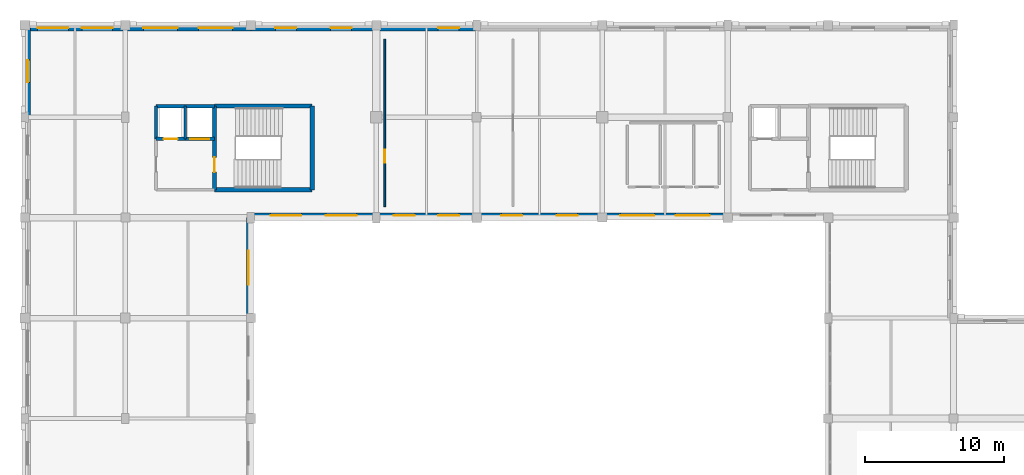
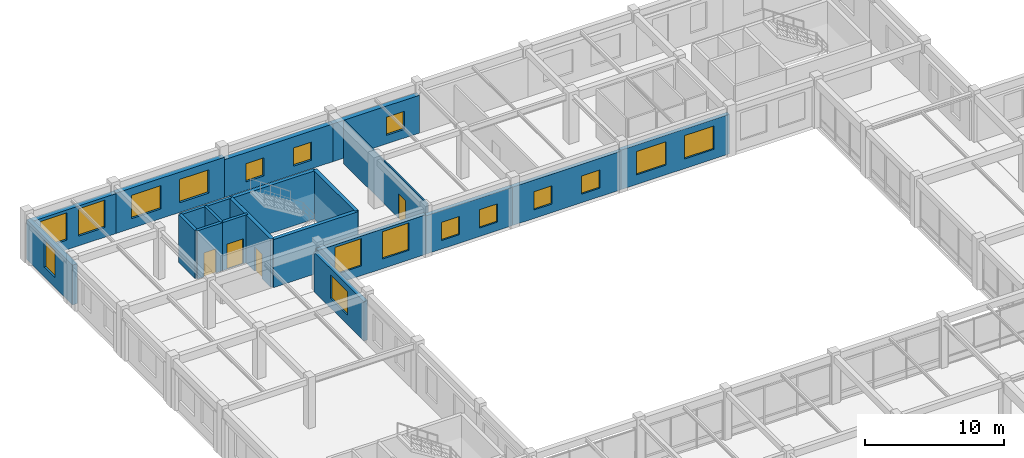
# One storey, part 42 of 62: 20 walls, 17 windows, 4 doors, 21 openings.
"""IFC4 building model written with IfcOpenShell, lengths in metres."""

from ifc_helpers import new_model, si_unit, direction, frame, frame_2d, origin, place, context, subcontext, project, spatial, rectangle, extrude, material, layer, layer_set, type_object, element, fill, save


model = new_model("IFC4")

# Units and contexts
model_context = context("Model", 3, precision=1e-05, world=origin(), true_north=direction((0.0, 1.0)))
body_context = subcontext(model_context, "Body", "Model", "MODEL_VIEW")
ifc_project = project(units=[si_unit("LENGTHUNIT", "METRE"), si_unit("AREAUNIT", "SQUARE_METRE"), si_unit("VOLUMEUNIT", "CUBIC_METRE"), si_unit("PLANEANGLEUNIT", "RADIAN"), si_unit("MASSUNIT", "GRAM", prefix="KILO")], contexts=[model_context])

# Site, building, storey
site_placement = place(None, origin())
site = spatial("IfcSite", under=ifc_project, at=site_placement, CompositionType="ELEMENT")
building_placement = place(site_placement, origin())
building = spatial("IfcBuilding", under=site, at=building_placement, Name="Clarverna Civic Hall", CompositionType="ELEMENT")
storey_placement = place(building_placement, frame((0.0, 0.0, 5.10009765625)))
storey = spatial("IfcBuildingStorey", under=building, at=storey_placement, Name="L01", CompositionType="ELEMENT", Elevation=5.10009765625)

# Wall, opening, window
ifc_material_1 = material(Name="Montjuic Limestone Ashlar Cladding", Category="masonry")
ifc_layer_1 = layer(ifc_material_1, 0.39990234375)
ifc_layer_set_1 = layer_set([ifc_layer_1], Name="Montjuic Limestone Ashlar Cladding")
wall_type_1 = type_object("IfcWallType", Name="EW-02", PredefinedType="SOLIDWALL", material=ifc_layer_set_1)
wall_1_placement = place(storey_placement, frame((0.199951171875, 109.39990234375, 0.0), z_axis=(0.0, 0.0, 1.0), x_axis=(0.0, 1.0, 0.0)))
wall_1 = element("IfcWall", 1, at=wall_1_placement, inside=storey, type_object=wall_type_1, Name="EW-02-015", PredefinedType="SOLIDWALL", context=body_context, shape_type="SweptSolid", body=[
    extrude(rectangle(XDim=6.60009765625, YDim=0.39990234375, at=frame_2d((3.300048828125, 0.0))), origin(), (0.0, 0.0, 1.0), 3.5),
])
opening_1_placement = place(wall_1_placement, frame((2.5, 0.0, 0.85009765625)))
opening_1 = element("IfcOpeningElement", 2, at=opening_1_placement, cuts=wall_1, Name="Opening WN-03", PredefinedType="OPENING", context=body_context, shape_type="SweptSolid", body=[
    extrude(rectangle(XDim=1.60009765625, YDim=2.39990234375, at=frame_2d((0.800048828125, 1.199951171875))), frame((0.0, 0.2099609375, 0.0), z_axis=(0.0, -1.0, 0.0), x_axis=(1.0, 0.0, 0.0)), (0.0, 0.0, 1.0), 0.419921875),
])
ifc_material_2 = material(Name="Solar-Control Argon Low-E Double Glazing", Category="glass")
window_type_1 = type_object("IfcWindowType", Name="WN-03", PartitioningType="DOUBLE_PANEL_VERTICAL", PredefinedType="WINDOW", material=ifc_material_2)
window_1_placement = place(opening_1_placement, origin())
window_1 = element("IfcWindow", 3, at=window_1_placement, inside=storey, type_object=window_type_1, Name="WN-03-005", OverallHeight=2.39990234375, OverallWidth=1.60009765625, PartitioningType="DOUBLE_PANEL_VERTICAL", PredefinedType="WINDOW", context=body_context, shape_type="SweptSolid", body=[
    extrude(rectangle(XDim=1.60009765625, YDim=2.39990234375, at=frame_2d((0.800048828125, 1.199951171875))), frame((0.0, 0.030029296875, 0.0), z_axis=(0.0, -1.0, 0.0), x_axis=(1.0, 0.0, 0.0)), (0.0, 0.0, 1.0), 0.06005859375),
])
fill(opening_1, window_1)

# Wall, openings, windows
wall_2_placement = place(storey_placement, frame((0.0, 115.800048828125, 0.0), z_axis=(0.0, 0.0, 1.0), x_axis=(1.0, 0.0, 0.0)))
wall_2 = element("IfcWall", 4, at=wall_2_placement, inside=storey, type_object=wall_type_1, Name="EW-02-016", PredefinedType="SOLIDWALL", context=body_context, shape_type="SweptSolid", body=[
    extrude(rectangle(XDim=7.199951171875, YDim=0.39990234375, at=frame_2d((3.60009765625, 0.0))), origin(), (0.0, 0.0, 1.0), 3.5),
])
opening_2_placement = place(wall_2_placement, frame((0.916015625, 0.0, 0.85009765625)))
opening_2 = element("IfcOpeningElement", 5, at=opening_2_placement, cuts=wall_2, Name="Opening WN-04", PredefinedType="OPENING", context=body_context, shape_type="SweptSolid", body=[
    extrude(rectangle(XDim=2.199951171875, YDim=2.39990234375, at=frame_2d((1.10009765625, 1.199951171875))), frame((0.0, 0.2099609375, 0.0), z_axis=(0.0, -1.0, 0.0), x_axis=(1.0, 0.0, 0.0)), (0.0, 0.0, 1.0), 0.419921875),
])
opening_3_placement = place(wall_2_placement, frame((4.083984375, 0.0, 0.85009765625)))
opening_3 = element("IfcOpeningElement", 6, at=opening_3_placement, cuts=wall_2, Name="Opening WN-04", PredefinedType="OPENING", context=body_context, shape_type="SweptSolid", body=[
    extrude(rectangle(XDim=2.199951171875, YDim=2.39990234375, at=frame_2d((1.10009765625, 1.199951171875))), frame((0.0, 0.2099609375, 0.0), z_axis=(0.0, -1.0, 0.0), x_axis=(1.0, 0.0, 0.0)), (0.0, 0.0, 1.0), 0.419921875),
])
window_type_2 = type_object("IfcWindowType", Name="WN-04", PartitioningType="DOUBLE_PANEL_VERTICAL", PredefinedType="WINDOW", material=ifc_material_2)
window_2_placement = place(opening_2_placement, origin())
window_2 = element("IfcWindow", 7, at=window_2_placement, inside=storey, type_object=window_type_2, Name="WN-04-004", OverallHeight=2.39990234375, OverallWidth=2.199951171875, PartitioningType="DOUBLE_PANEL_VERTICAL", PredefinedType="WINDOW", context=body_context, shape_type="SweptSolid", body=[
    extrude(rectangle(XDim=2.199951171875, YDim=2.39990234375, at=frame_2d((1.10009765625, 1.199951171875))), frame((0.0, 0.030029296875, 0.0), z_axis=(0.0, -1.0, 0.0), x_axis=(1.0, 0.0, 0.0)), (0.0, 0.0, 1.0), 0.06005859375),
])
fill(opening_2, window_2)
window_3_placement = place(opening_3_placement, origin())
window_3 = element("IfcWindow", 8, at=window_3_placement, inside=storey, type_object=window_type_2, Name="WN-04-005", OverallHeight=2.39990234375, OverallWidth=2.199951171875, PartitioningType="DOUBLE_PANEL_VERTICAL", PredefinedType="WINDOW", context=body_context, shape_type="SweptSolid", body=[
    extrude(rectangle(XDim=2.199951171875, YDim=2.39990234375, at=frame_2d((1.10009765625, 1.199951171875))), frame((0.0, 0.030029296875, 0.0), z_axis=(0.0, -1.0, 0.0), x_axis=(1.0, 0.0, 0.0)), (0.0, 0.0, 1.0), 0.06005859375),
])
fill(opening_3, window_3)

wall_3_placement = place(storey_placement, frame((7.199951171875, 115.800048828125, 0.0), z_axis=(0.0, 0.0, 1.0), x_axis=(1.0, 0.0, 0.0)))
wall_3 = element("IfcWall", 9, at=wall_3_placement, inside=storey, type_object=wall_type_1, Name="EW-02-017", PredefinedType="SOLIDWALL", context=body_context, shape_type="SweptSolid", body=[
    extrude(rectangle(XDim=9.0, YDim=0.39990234375, at=frame_2d((4.5, 0.0))), origin(), (0.0, 0.0, 1.0), 3.539794921875),
])
opening_4_placement = place(wall_3_placement, frame((1.294921875, 0.0, 0.85009765625)))
opening_4 = element("IfcOpeningElement", 10, at=opening_4_placement, cuts=wall_3, Name="Opening WN-24", PredefinedType="OPENING", context=body_context, shape_type="SweptSolid", body=[
    extrude(rectangle(XDim=2.449951171875, YDim=2.050048828125, at=frame_2d((1.22509765625, 1.02490234375))), frame((0.0, 0.2099609375, 0.0), z_axis=(0.0, -1.0, 0.0), x_axis=(1.0, 0.0, 0.0)), (0.0, 0.0, 1.0), 0.419921875),
])
opening_5_placement = place(wall_3_placement, frame((5.2548828125, 0.0, 0.85009765625)))
opening_5 = element("IfcOpeningElement", 11, at=opening_5_placement, cuts=wall_3, Name="Opening WN-24", PredefinedType="OPENING", context=body_context, shape_type="SweptSolid", body=[
    extrude(rectangle(XDim=2.449951171875, YDim=2.050048828125, at=frame_2d((1.22509765625, 1.02490234375))), frame((0.0, 0.2099609375, 0.0), z_axis=(0.0, -1.0, 0.0), x_axis=(1.0, 0.0, 0.0)), (0.0, 0.0, 1.0), 0.419921875),
])
window_type_3 = type_object("IfcWindowType", Name="WN-24", PartitioningType="TRIPLE_PANEL_VERTICAL", PredefinedType="WINDOW", material=ifc_material_2)
window_4_placement = place(opening_4_placement, origin())
window_4 = element("IfcWindow", 12, at=window_4_placement, inside=storey, type_object=window_type_3, Name="WN-24-007", OverallHeight=2.050048828125, OverallWidth=2.449951171875, PartitioningType="TRIPLE_PANEL_VERTICAL", PredefinedType="WINDOW", context=body_context, shape_type="SweptSolid", body=[
    extrude(rectangle(XDim=2.449951171875, YDim=2.050048828125, at=frame_2d((1.22509765625, 1.02490234375))), frame((0.0, 0.030029296875, 0.0), z_axis=(0.0, -1.0, 0.0), x_axis=(1.0, 0.0, 0.0)), (0.0, 0.0, 1.0), 0.06005859375),
])
fill(opening_4, window_4)
window_5_placement = place(opening_5_placement, origin())
window_5 = element("IfcWindow", 13, at=window_5_placement, inside=storey, type_object=window_type_3, Name="WN-24-008", OverallHeight=2.050048828125, OverallWidth=2.449951171875, PartitioningType="TRIPLE_PANEL_VERTICAL", PredefinedType="WINDOW", context=body_context, shape_type="SweptSolid", body=[
    extrude(rectangle(XDim=2.449951171875, YDim=2.050048828125, at=frame_2d((1.22509765625, 1.02490234375))), frame((0.0, 0.030029296875, 0.0), z_axis=(0.0, -1.0, 0.0), x_axis=(1.0, 0.0, 0.0)), (0.0, 0.0, 1.0), 0.06005859375),
])
fill(opening_5, window_5)

wall_4_placement = place(storey_placement, frame((16.199951171875, 115.800048828125, 0.0), z_axis=(0.0, 0.0, 1.0), x_axis=(1.0, 0.0, 0.0)))
wall_4 = element("IfcWall", 14, at=wall_4_placement, inside=storey, type_object=wall_type_1, Name="EW-02-018", PredefinedType="SOLIDWALL", context=body_context, shape_type="SweptSolid", body=[
    extrude(rectangle(XDim=9.0, YDim=0.39990234375, at=frame_2d((4.5, 0.0))), origin(), (0.0, 0.0, 1.0), 3.31982421875),
])
opening_6_placement = place(wall_4_placement, frame((1.77001953125, 0.0, 0.75)))
opening_6 = element("IfcOpeningElement", 15, at=opening_6_placement, cuts=wall_4, Name="Opening WN-14", PredefinedType="OPENING", context=body_context, shape_type="SweptSolid", body=[
    extrude(rectangle(XDim=1.5, YDim=1.60009765625, at=frame_2d((0.75, 0.800048828125))), frame((0.0, 0.2099609375, 0.0), z_axis=(0.0, -1.0, 0.0), x_axis=(1.0, 0.0, 0.0)), (0.0, 0.0, 1.0), 0.419921875),
])
opening_7_placement = place(wall_4_placement, frame((5.72998046875, 0.0, 0.75)))
opening_7 = element("IfcOpeningElement", 16, at=opening_7_placement, cuts=wall_4, Name="Opening WN-14", PredefinedType="OPENING", context=body_context, shape_type="SweptSolid", body=[
    extrude(rectangle(XDim=1.5, YDim=1.60009765625, at=frame_2d((0.75, 0.800048828125))), frame((0.0, 0.2099609375, 0.0), z_axis=(0.0, -1.0, 0.0), x_axis=(1.0, 0.0, 0.0)), (0.0, 0.0, 1.0), 0.419921875),
])
window_type_4 = type_object("IfcWindowType", Name="WN-14", PartitioningType="DOUBLE_PANEL_HORIZONTAL", PredefinedType="WINDOW", material=ifc_material_2)
window_6_placement = place(opening_6_placement, origin())
window_6 = element("IfcWindow", 17, at=window_6_placement, inside=storey, type_object=window_type_4, Name="WN-14-005", OverallHeight=1.60009765625, OverallWidth=1.5, PartitioningType="DOUBLE_PANEL_HORIZONTAL", PredefinedType="WINDOW", context=body_context, shape_type="SweptSolid", body=[
    extrude(rectangle(XDim=1.5, YDim=1.60009765625, at=frame_2d((0.75, 0.800048828125))), frame((0.0, 0.030029296875, 0.0), z_axis=(0.0, -1.0, 0.0), x_axis=(1.0, 0.0, 0.0)), (0.0, 0.0, 1.0), 0.06005859375),
])
fill(opening_6, window_6)
window_7_placement = place(opening_7_placement, origin())
window_7 = element("IfcWindow", 18, at=window_7_placement, inside=storey, type_object=window_type_4, Name="WN-14-006", OverallHeight=1.60009765625, OverallWidth=1.5, PartitioningType="DOUBLE_PANEL_HORIZONTAL", PredefinedType="WINDOW", context=body_context, shape_type="SweptSolid", body=[
    extrude(rectangle(XDim=1.5, YDim=1.60009765625, at=frame_2d((0.75, 0.800048828125))), frame((0.0, 0.030029296875, 0.0), z_axis=(0.0, -1.0, 0.0), x_axis=(1.0, 0.0, 0.0)), (0.0, 0.0, 1.0), 0.06005859375),
])
fill(opening_7, window_7)

# Wall, opening, window
wall_5_placement = place(storey_placement, frame((25.199951171875, 115.800048828125, 0.0), z_axis=(0.0, 0.0, 1.0), x_axis=(1.0, 0.0, 0.0)))
wall_5 = element("IfcWall", 19, at=wall_5_placement, inside=storey, type_object=wall_type_1, Name="EW-02-019", PredefinedType="SOLIDWALL", context=body_context, shape_type="SweptSolid", body=[
    extrude(rectangle(XDim=7.199951171875, YDim=0.39990234375, at=frame_2d((3.60009765625, 0.0))), origin(), (0.0, 0.0, 1.0), 3.31982421875),
])
opening_8_placement = place(wall_5_placement, frame((4.43408203125, 0.0, 0.75)))
opening_8 = element("IfcOpeningElement", 20, at=opening_8_placement, cuts=wall_5, Name="Opening WN-14", PredefinedType="OPENING", context=body_context, shape_type="SweptSolid", body=[
    extrude(rectangle(XDim=1.5, YDim=1.60009765625, at=frame_2d((0.75, 0.800048828125))), frame((0.0, 0.2099609375, 0.0), z_axis=(0.0, -1.0, 0.0), x_axis=(1.0, 0.0, 0.0)), (0.0, 0.0, 1.0), 0.419921875),
])
window_8_placement = place(opening_8_placement, origin())
window_8 = element("IfcWindow", 21, at=window_8_placement, inside=storey, type_object=window_type_4, Name="WN-14-007", OverallHeight=1.60009765625, OverallWidth=1.5, PartitioningType="DOUBLE_PANEL_HORIZONTAL", PredefinedType="WINDOW", context=body_context, shape_type="SweptSolid", body=[
    extrude(rectangle(XDim=1.5, YDim=1.60009765625, at=frame_2d((0.75, 0.800048828125))), frame((0.0, 0.030029296875, 0.0), z_axis=(0.0, -1.0, 0.0), x_axis=(1.0, 0.0, 0.0)), (0.0, 0.0, 1.0), 0.06005859375),
])
fill(opening_8, window_8)

# Wall, openings, windows
ifc_material_3 = material(Name="Precast concrete C40/50", Category="concrete")
ifc_layer_2 = layer(ifc_material_3, 0.320068359375)
ifc_layer_set_2 = layer_set([ifc_layer_2], Name="Precast concrete C40/50")
wall_type_2 = type_object("IfcWallType", Name="EW-04", PredefinedType="SOLIDWALL", material=ifc_layer_set_2)
wall_6_placement = place(storey_placement, frame((50.39990234375, 102.360107421875, 0.0), z_axis=(0.0, 0.0, 1.0), x_axis=(-1.0, 0.0, 0.0)))
wall_6 = element("IfcWall", 22, at=wall_6_placement, inside=storey, type_object=wall_type_2, Name="EW-04-002", PredefinedType="SOLIDWALL", context=body_context, shape_type="SweptSolid", body=[
    extrude(rectangle(XDim=9.0, YDim=0.320068359375, at=frame_2d((4.5, 0.0))), origin(), (0.0, 0.0, 1.0), 3.469970703125),
])
opening_9_placement = place(wall_6_placement, frame((1.294921875, 0.0, 0.85009765625)))
opening_9 = element("IfcOpeningElement", 23, at=opening_9_placement, cuts=wall_6, Name="Opening WN-24", PredefinedType="OPENING", context=body_context, shape_type="SweptSolid", body=[
    extrude(rectangle(XDim=2.449951171875, YDim=2.050048828125, at=frame_2d((1.22509765625, 1.02490234375))), frame((0.0, 0.169921875, 0.0), z_axis=(0.0, -1.0, 0.0), x_axis=(1.0, 0.0, 0.0)), (0.0, 0.0, 1.0), 0.340087890625),
])
opening_10_placement = place(wall_6_placement, frame((5.2548828125, 0.0, 0.85009765625)))
opening_10 = element("IfcOpeningElement", 24, at=opening_10_placement, cuts=wall_6, Name="Opening WN-24", PredefinedType="OPENING", context=body_context, shape_type="SweptSolid", body=[
    extrude(rectangle(XDim=2.449951171875, YDim=2.050048828125, at=frame_2d((1.22509765625, 1.02490234375))), frame((0.0, 0.169921875, 0.0), z_axis=(0.0, -1.0, 0.0), x_axis=(1.0, 0.0, 0.0)), (0.0, 0.0, 1.0), 0.340087890625),
])
window_9_placement = place(opening_9_placement, origin())
window_9 = element("IfcWindow", 25, at=window_9_placement, inside=storey, type_object=window_type_3, Name="WN-24-033", OverallHeight=2.050048828125, OverallWidth=2.449951171875, PartitioningType="TRIPLE_PANEL_VERTICAL", PredefinedType="WINDOW", context=body_context, shape_type="SweptSolid", body=[
    extrude(rectangle(XDim=2.449951171875, YDim=2.050048828125, at=frame_2d((1.22509765625, 1.02490234375))), frame((0.0, 0.030029296875, 0.0), z_axis=(0.0, -1.0, 0.0), x_axis=(1.0, 0.0, 0.0)), (0.0, 0.0, 1.0), 0.06005859375),
])
fill(opening_9, window_9)
window_10_placement = place(opening_10_placement, origin())
window_10 = element("IfcWindow", 26, at=window_10_placement, inside=storey, type_object=window_type_3, Name="WN-24-034", OverallHeight=2.050048828125, OverallWidth=2.449951171875, PartitioningType="TRIPLE_PANEL_VERTICAL", PredefinedType="WINDOW", context=body_context, shape_type="SweptSolid", body=[
    extrude(rectangle(XDim=2.449951171875, YDim=2.050048828125, at=frame_2d((1.22509765625, 1.02490234375))), frame((0.0, 0.030029296875, 0.0), z_axis=(0.0, -1.0, 0.0), x_axis=(1.0, 0.0, 0.0)), (0.0, 0.0, 1.0), 0.06005859375),
])
fill(opening_10, window_10)

wall_7_placement = place(storey_placement, frame((41.39990234375, 102.360107421875, 0.0), z_axis=(0.0, 0.0, 1.0), x_axis=(-1.0, 0.0, 0.0)))
wall_7 = element("IfcWall", 27, at=wall_7_placement, inside=storey, type_object=wall_type_2, Name="EW-04-003", PredefinedType="SOLIDWALL", context=body_context, shape_type="SweptSolid", body=[
    extrude(rectangle(XDim=9.0, YDim=0.320068359375, at=frame_2d((4.5, 0.0))), origin(), (0.0, 0.0, 1.0), 3.369873046875),
])
opening_11_placement = place(wall_7_placement, frame((1.77001953125, 0.0, 0.75)))
opening_11 = element("IfcOpeningElement", 28, at=opening_11_placement, cuts=wall_7, Name="Opening WN-14", PredefinedType="OPENING", context=body_context, shape_type="SweptSolid", body=[
    extrude(rectangle(XDim=1.5, YDim=1.60009765625, at=frame_2d((0.75, 0.800048828125))), frame((0.0, 0.169921875, 0.0), z_axis=(0.0, -1.0, 0.0), x_axis=(1.0, 0.0, 0.0)), (0.0, 0.0, 1.0), 0.340087890625),
])
opening_12_placement = place(wall_7_placement, frame((5.72998046875, 0.0, 0.75)))
opening_12 = element("IfcOpeningElement", 29, at=opening_12_placement, cuts=wall_7, Name="Opening WN-14", PredefinedType="OPENING", context=body_context, shape_type="SweptSolid", body=[
    extrude(rectangle(XDim=1.5, YDim=1.60009765625, at=frame_2d((0.75, 0.800048828125))), frame((0.0, 0.169921875, 0.0), z_axis=(0.0, -1.0, 0.0), x_axis=(1.0, 0.0, 0.0)), (0.0, 0.0, 1.0), 0.340087890625),
])
window_11_placement = place(opening_11_placement, origin())
window_11 = element("IfcWindow", 30, at=window_11_placement, inside=storey, type_object=window_type_4, Name="WN-14-019", OverallHeight=1.60009765625, OverallWidth=1.5, PartitioningType="DOUBLE_PANEL_HORIZONTAL", PredefinedType="WINDOW", context=body_context, shape_type="SweptSolid", body=[
    extrude(rectangle(XDim=1.5, YDim=1.60009765625, at=frame_2d((0.75, 0.800048828125))), frame((0.0, 0.030029296875, 0.0), z_axis=(0.0, -1.0, 0.0), x_axis=(1.0, 0.0, 0.0)), (0.0, 0.0, 1.0), 0.06005859375),
])
fill(opening_11, window_11)
window_12_placement = place(opening_12_placement, origin())
window_12 = element("IfcWindow", 31, at=window_12_placement, inside=storey, type_object=window_type_4, Name="WN-14-020", OverallHeight=1.60009765625, OverallWidth=1.5, PartitioningType="DOUBLE_PANEL_HORIZONTAL", PredefinedType="WINDOW", context=body_context, shape_type="SweptSolid", body=[
    extrude(rectangle(XDim=1.5, YDim=1.60009765625, at=frame_2d((0.75, 0.800048828125))), frame((0.0, 0.030029296875, 0.0), z_axis=(0.0, -1.0, 0.0), x_axis=(1.0, 0.0, 0.0)), (0.0, 0.0, 1.0), 0.06005859375),
])
fill(opening_12, window_12)

wall_8_placement = place(storey_placement, frame((32.39990234375, 102.360107421875, 0.0), z_axis=(0.0, 0.0, 1.0), x_axis=(-1.0, 0.0, 0.0)))
wall_8 = element("IfcWall", 32, at=wall_8_placement, inside=storey, type_object=wall_type_2, Name="EW-04-004", PredefinedType="SOLIDWALL", context=body_context, shape_type="SweptSolid", body=[
    extrude(rectangle(XDim=7.199951171875, YDim=0.320068359375, at=frame_2d((3.60009765625, 0.0))), origin(), (0.0, 0.0, 1.0), 3.369873046875),
])
opening_13_placement = place(wall_8_placement, frame((1.26611328125, 0.0, 0.75)))
opening_13 = element("IfcOpeningElement", 33, at=opening_13_placement, cuts=wall_8, Name="Opening WN-14", PredefinedType="OPENING", context=body_context, shape_type="SweptSolid", body=[
    extrude(rectangle(XDim=1.5, YDim=1.60009765625, at=frame_2d((0.75, 0.800048828125))), frame((0.0, 0.169921875, 0.0), z_axis=(0.0, -1.0, 0.0), x_axis=(1.0, 0.0, 0.0)), (0.0, 0.0, 1.0), 0.340087890625),
])
opening_14_placement = place(wall_8_placement, frame((4.43408203125, 0.0, 0.75)))
opening_14 = element("IfcOpeningElement", 34, at=opening_14_placement, cuts=wall_8, Name="Opening WN-14", PredefinedType="OPENING", context=body_context, shape_type="SweptSolid", body=[
    extrude(rectangle(XDim=1.5, YDim=1.60009765625, at=frame_2d((0.75, 0.800048828125))), frame((0.0, 0.169921875, 0.0), z_axis=(0.0, -1.0, 0.0), x_axis=(1.0, 0.0, 0.0)), (0.0, 0.0, 1.0), 0.340087890625),
])
window_13_placement = place(opening_13_placement, origin())
window_13 = element("IfcWindow", 35, at=window_13_placement, inside=storey, type_object=window_type_4, Name="WN-14-021", OverallHeight=1.60009765625, OverallWidth=1.5, PartitioningType="DOUBLE_PANEL_HORIZONTAL", PredefinedType="WINDOW", context=body_context, shape_type="SweptSolid", body=[
    extrude(rectangle(XDim=1.5, YDim=1.60009765625, at=frame_2d((0.75, 0.800048828125))), frame((0.0, 0.030029296875, 0.0), z_axis=(0.0, -1.0, 0.0), x_axis=(1.0, 0.0, 0.0)), (0.0, 0.0, 1.0), 0.06005859375),
])
fill(opening_13, window_13)
window_14_placement = place(opening_14_placement, origin())
window_14 = element("IfcWindow", 36, at=window_14_placement, inside=storey, type_object=window_type_4, Name="WN-14-022", OverallHeight=1.60009765625, OverallWidth=1.5, PartitioningType="DOUBLE_PANEL_HORIZONTAL", PredefinedType="WINDOW", context=body_context, shape_type="SweptSolid", body=[
    extrude(rectangle(XDim=1.5, YDim=1.60009765625, at=frame_2d((0.75, 0.800048828125))), frame((0.0, 0.030029296875, 0.0), z_axis=(0.0, -1.0, 0.0), x_axis=(1.0, 0.0, 0.0)), (0.0, 0.0, 1.0), 0.06005859375),
])
fill(opening_14, window_14)

wall_9_placement = place(storey_placement, frame((25.199951171875, 102.360107421875, 0.0), z_axis=(0.0, 0.0, 1.0), x_axis=(-1.0, 0.0, 0.0)))
wall_9 = element("IfcWall", 37, at=wall_9_placement, inside=storey, type_object=wall_type_2, Name="EW-04-005", PredefinedType="SOLIDWALL", context=body_context, shape_type="SweptSolid", body=[
    extrude(rectangle(XDim=9.0, YDim=0.320068359375, at=frame_2d((4.5, 0.0))), origin(), (0.0, 0.0, 1.0), 3.469970703125),
])
opening_15_placement = place(wall_9_placement, frame((1.419921875, 0.0, 0.85009765625)))
opening_15 = element("IfcOpeningElement", 38, at=opening_15_placement, cuts=wall_9, Name="Opening WN-04", PredefinedType="OPENING", context=body_context, shape_type="SweptSolid", body=[
    extrude(rectangle(XDim=2.199951171875, YDim=2.39990234375, at=frame_2d((1.10009765625, 1.199951171875))), frame((0.0, 0.169921875, 0.0), z_axis=(0.0, -1.0, 0.0), x_axis=(1.0, 0.0, 0.0)), (0.0, 0.0, 1.0), 0.340087890625),
])
opening_16_placement = place(wall_9_placement, frame((5.3798828125, 0.0, 0.85009765625)))
opening_16 = element("IfcOpeningElement", 39, at=opening_16_placement, cuts=wall_9, Name="Opening WN-04", PredefinedType="OPENING", context=body_context, shape_type="SweptSolid", body=[
    extrude(rectangle(XDim=2.199951171875, YDim=2.39990234375, at=frame_2d((1.10009765625, 1.199951171875))), frame((0.0, 0.169921875, 0.0), z_axis=(0.0, -1.0, 0.0), x_axis=(1.0, 0.0, 0.0)), (0.0, 0.0, 1.0), 0.340087890625),
])
window_15_placement = place(opening_15_placement, origin())
window_15 = element("IfcWindow", 40, at=window_15_placement, inside=storey, type_object=window_type_2, Name="WN-04-031", OverallHeight=2.39990234375, OverallWidth=2.199951171875, PartitioningType="DOUBLE_PANEL_VERTICAL", PredefinedType="WINDOW", context=body_context, shape_type="SweptSolid", body=[
    extrude(rectangle(XDim=2.199951171875, YDim=2.39990234375, at=frame_2d((1.10009765625, 1.199951171875))), frame((0.0, 0.030029296875, 0.0), z_axis=(0.0, -1.0, 0.0), x_axis=(1.0, 0.0, 0.0)), (0.0, 0.0, 1.0), 0.06005859375),
])
fill(opening_15, window_15)
window_16_placement = place(opening_16_placement, origin())
window_16 = element("IfcWindow", 41, at=window_16_placement, inside=storey, type_object=window_type_2, Name="WN-04-032", OverallHeight=2.39990234375, OverallWidth=2.199951171875, PartitioningType="DOUBLE_PANEL_VERTICAL", PredefinedType="WINDOW", context=body_context, shape_type="SweptSolid", body=[
    extrude(rectangle(XDim=2.199951171875, YDim=2.39990234375, at=frame_2d((1.10009765625, 1.199951171875))), frame((0.0, 0.030029296875, 0.0), z_axis=(0.0, -1.0, 0.0), x_axis=(1.0, 0.0, 0.0)), (0.0, 0.0, 1.0), 0.06005859375),
])
fill(opening_16, window_16)

# Wall, opening, window
wall_10_placement = place(storey_placement, frame((16.0400390625, 102.199951171875, 0.0), z_axis=(0.0, 0.0, 1.0), x_axis=(0.0, -1.0, 0.0)))
wall_10 = element("IfcWall", 42, at=wall_10_placement, inside=storey, type_object=wall_type_2, Name="EW-04-006", PredefinedType="SOLIDWALL", context=body_context, shape_type="SweptSolid", body=[
    extrude(rectangle(XDim=7.199951171875, YDim=0.320068359375, at=frame_2d((3.60009765625, 0.0))), origin(), (0.0, 0.0, 1.0), 3.469970703125),
])
opening_17_placement = place(wall_10_placement, frame((2.375, 0.0, 0.85009765625)))
opening_17 = element("IfcOpeningElement", 43, at=opening_17_placement, cuts=wall_10, Name="Opening WN-24", PredefinedType="OPENING", context=body_context, shape_type="SweptSolid", body=[
    extrude(rectangle(XDim=2.449951171875, YDim=2.050048828125, at=frame_2d((1.22509765625, 1.02490234375))), frame((0.0, 0.169921875, 0.0), z_axis=(0.0, -1.0, 0.0), x_axis=(1.0, 0.0, 0.0)), (0.0, 0.0, 1.0), 0.340087890625),
])
window_17_placement = place(opening_17_placement, origin())
window_17 = element("IfcWindow", 44, at=window_17_placement, inside=storey, type_object=window_type_3, Name="WN-24-035", OverallHeight=2.050048828125, OverallWidth=2.449951171875, PartitioningType="TRIPLE_PANEL_VERTICAL", PredefinedType="WINDOW", context=body_context, shape_type="SweptSolid", body=[
    extrude(rectangle(XDim=2.449951171875, YDim=2.050048828125, at=frame_2d((1.22509765625, 1.02490234375))), frame((0.0, 0.030029296875, 0.0), z_axis=(0.0, -1.0, 0.0), x_axis=(1.0, 0.0, 0.0)), (0.0, 0.0, 1.0), 0.06005859375),
])
fill(opening_17, window_17)

# Wall, opening, door
ifc_material_4 = material(Name="Gypsum Plasterboard Partition", Category="gypsum")
ifc_layer_3 = layer(ifc_material_4, 0.1201171875)
ifc_layer_set_3 = layer_set([ifc_layer_3], Name="Gypsum Plasterboard Partition")
wall_type_3 = type_object("IfcWallType", Name="PW-03", PredefinedType="PARTITIONING", material=ifc_layer_set_3)
wall_11_placement = place(storey_placement, frame((25.800048828125, 103.0, 0.0), z_axis=(0.0, 0.0, 1.0), x_axis=(0.0, 1.0, 0.0)))
wall_11 = element("IfcWall", 45, at=wall_11_placement, inside=storey, type_object=wall_type_3, Name="PW-03-002", PredefinedType="PARTITIONING", context=body_context, shape_type="SweptSolid", body=[
    extrude(rectangle(XDim=12.0, YDim=0.1201171875, at=frame_2d((6.0, 0.0))), origin(), (0.0, 0.0, 1.0), 3.77001953125),
])
opening_18_placement = place(wall_11_placement, frame((3.125, 0.0, 0.0)))
opening_18 = element("IfcOpeningElement", 46, at=opening_18_placement, cuts=wall_11, Name="Opening ID-01", PredefinedType="OPENING", context=body_context, shape_type="SweptSolid", body=[
    extrude(rectangle(XDim=0.949951171875, YDim=2.14990234375, at=frame_2d((0.47509765625, 1.074951171875))), frame((0.0, 0.070068359375, 0.0), z_axis=(0.0, -1.0, 0.0), x_axis=(1.0, 0.0, 0.0)), (0.0, 0.0, 1.0), 0.14013671875),
])
ifc_material_5 = material(Name="European Oak Veneered Acoustic Timber Door", Category="wood")
door_type_1 = type_object("IfcDoorType", Name="ID-01", OperationType="NOTDEFINED", PredefinedType="DOOR", material=ifc_material_5)
door_1_placement = place(opening_18_placement, origin())
door_1 = element("IfcDoor", 47, at=door_1_placement, inside=storey, type_object=door_type_1, Name="ID-01-002", OperationType="SINGLE_SWING_LEFT", OverallHeight=2.14990234375, OverallWidth=0.949951171875, PredefinedType="DOOR", context=body_context, shape_type="SweptSolid", body=[
    extrude(rectangle(XDim=0.949951171875, YDim=2.14990234375, at=frame_2d((0.47509765625, 1.074951171875))), frame((0.0, 0.02490234375, 0.0), z_axis=(0.0, -1.0, 0.0), x_axis=(1.0, 0.0, 0.0)), (0.0, 0.0, 1.0), 0.050048828125),
])
fill(opening_18, door_1)

ifc_material_6 = material(Name="Concrete C35/45", Category="concrete")
ifc_layer_4 = layer(ifc_material_6, 0.300048828125)
ifc_layer_set_4 = layer_set([ifc_layer_4], Name="Concrete C35/45")
wall_type_4 = type_object("IfcWallType", Name="SW-03", PredefinedType="SHEAR", material=ifc_layer_set_4)
wall_12_placement = place(storey_placement, frame((13.60009765625, 104.199951171875, 0.0), z_axis=(0.0, 0.0, 1.0), x_axis=(0.0, 1.0, 0.0)))
wall_12 = element("IfcWall", 48, at=wall_12_placement, inside=storey, type_object=wall_type_4, Name="SW-03-019", PredefinedType="SHEAR", context=body_context, shape_type="SweptSolid", body=[
    extrude(rectangle(XDim=6.0, YDim=0.300048828125, at=frame_2d((3.0, 0.0))), origin(), (0.0, 0.0, 1.0), 4.219970703125),
])
opening_19_placement = place(wall_12_placement, frame((1.27490234375, 0.0, 0.0)))
opening_19 = element("IfcOpeningElement", 49, at=opening_19_placement, cuts=wall_12, Name="Opening FD-02", PredefinedType="OPENING", context=body_context, shape_type="SweptSolid", body=[
    extrude(rectangle(XDim=1.050048828125, YDim=2.14990234375, at=frame_2d((0.52490234375, 1.074951171875))), frame((0.0, 0.159912109375, 0.0), z_axis=(0.0, -1.0, 0.0), x_axis=(1.0, 0.0, 0.0)), (0.0, 0.0, 1.0), 0.320068359375),
])
ifc_material_7 = material(Name="Acoustic Timber-Faced Fire Door", Category="wood")
door_type_2 = type_object("IfcDoorType", Name="FD-02", OperationType="NOTDEFINED", PredefinedType="DOOR", material=ifc_material_7)
door_2_placement = place(opening_19_placement, origin())
door_2 = element("IfcDoor", 50, at=door_2_placement, inside=storey, type_object=door_type_2, Name="FD-02-056", OperationType="SINGLE_SWING_LEFT", OverallHeight=2.14990234375, OverallWidth=1.050048828125, PredefinedType="DOOR", context=body_context, shape_type="SweptSolid", body=[
    extrude(rectangle(XDim=1.050048828125, YDim=2.14990234375, at=frame_2d((0.52490234375, 1.074951171875))), frame((0.0, 0.02490234375, 0.0), z_axis=(0.0, -1.0, 0.0), x_axis=(1.0, 0.0, 0.0)), (0.0, 0.0, 1.0), 0.050048828125),
])
fill(opening_19, door_2)

# Walls
wall_13_placement = place(storey_placement, frame((20.60009765625, 104.199951171875, 0.0), z_axis=(0.0, 0.0, 1.0), x_axis=(0.0, 1.0, 0.0)))
element("IfcWall", 51, at=wall_13_placement, inside=storey, type_object=wall_type_4, Name="SW-03-020", PredefinedType="SHEAR", context=body_context, shape_type="SweptSolid", body=[
    extrude(rectangle(XDim=6.0, YDim=0.300048828125, at=frame_2d((3.0, 0.0))), origin(), (0.0, 0.0, 1.0), 4.219970703125),
])
for number, where, z_axis, x_axis, name in (
    (52, (13.60009765625, 104.199951171875, 0.0), (0.0, 0.0, 1.0), (1.0, 0.0, 0.0), "SW-03-021"),
    (53, (13.60009765625, 110.199951171875, 0.0), (0.0, 0.0, 1.0), (1.0, 0.0, 0.0), "SW-03-022"),
):
    element("IfcWall", number, at=place(storey_placement, frame(where, z_axis=z_axis, x_axis=x_axis)), inside=storey, type_object=wall_type_4, Name=name, PredefinedType="SHEAR", context=body_context, shape_type="SweptSolid", body=[
        extrude(rectangle(XDim=7.0, YDim=0.300048828125, at=frame_2d((3.5, 0.0))), origin(), (0.0, 0.0, 1.0), 4.219970703125),
    ])
wall_14_placement = place(storey_placement, frame((9.39990234375, 110.199951171875, 0.0), z_axis=(0.0, 0.0, 1.0), x_axis=(1.0, 0.0, 0.0)))
element("IfcWall", 54, at=wall_14_placement, inside=storey, type_object=wall_type_4, Name="SW-03-023", PredefinedType="SHEAR", context=body_context, shape_type="SweptSolid", body=[
    extrude(rectangle(XDim=4.2001953125, YDim=0.239990234375, at=frame_2d((2.10009765625, 0.0))), origin(), (0.0, 0.0, 1.0), 4.219970703125),
])
wall_15_placement = place(storey_placement, frame((9.39990234375, 107.85009765625, 0.0), z_axis=(0.0, 0.0, 1.0), x_axis=(0.0, 1.0, 0.0)))
element("IfcWall", 55, at=wall_15_placement, inside=storey, type_object=wall_type_4, Name="SW-03-024", PredefinedType="SHEAR", context=body_context, shape_type="SweptSolid", body=[
    extrude(rectangle(XDim=2.349853515625, YDim=0.239990234375, at=frame_2d((1.1748046875, 0.0))), origin(), (0.0, 0.0, 1.0), 4.219970703125),
])
wall_16_placement = place(storey_placement, frame((11.5, 107.85009765625, 0.0), z_axis=(0.0, 0.0, 1.0), x_axis=(0.0, 1.0, 0.0)))
element("IfcWall", 56, at=wall_16_placement, inside=storey, type_object=wall_type_4, Name="SW-03-025", PredefinedType="SHEAR", context=body_context, shape_type="SweptSolid", body=[
    extrude(rectangle(XDim=2.349853515625, YDim=0.199951171875, at=frame_2d((1.1748046875, 0.0))), origin(), (0.0, 0.0, 1.0), 4.219970703125),
])

# Wall, opening, door
wall_17_placement = place(storey_placement, frame((9.39990234375, 107.85009765625, 0.0), z_axis=(0.0, 0.0, 1.0), x_axis=(1.0, 0.0, 0.0)))
wall_17 = element("IfcWall", 57, at=wall_17_placement, inside=storey, type_object=wall_type_4, Name="SW-03-026", PredefinedType="SHEAR", context=body_context, shape_type="SweptSolid", body=[
    extrude(rectangle(XDim=2.10009765625, YDim=0.239990234375, at=frame_2d((1.050048828125, 0.0))), origin(), (0.0, 0.0, 1.0), 4.219970703125),
])
opening_20_placement = place(wall_17_placement, frame((0.550048828125, 0.0, 0.0)))
opening_20 = element("IfcOpeningElement", 58, at=opening_20_placement, cuts=wall_17, Name="Opening LD-01", PredefinedType="OPENING", context=body_context, shape_type="SweptSolid", body=[
    extrude(rectangle(XDim=1.0, YDim=2.10009765625, at=frame_2d((0.5, 1.050048828125))), frame((0.0, 0.1298828125, 0.0), z_axis=(0.0, -1.0, 0.0), x_axis=(1.0, 0.0, 0.0)), (0.0, 0.0, 1.0), 0.260009765625),
])
ifc_material_8 = material(Name="Brushed Bronze Stainless Lift Landing Door")
door_type_3 = type_object("IfcDoorType", Name="LD-01", OperationType="SLIDING_TO_LEFT", PredefinedType="DOOR", material=ifc_material_8)
door_3_placement = place(opening_20_placement, origin())
door_3 = element("IfcDoor", 59, at=door_3_placement, inside=storey, type_object=door_type_3, Name="LD-01-055", OperationType="SLIDING_TO_LEFT", OverallHeight=2.10009765625, OverallWidth=1.0, PredefinedType="DOOR", context=body_context, shape_type="SweptSolid", body=[
    extrude(rectangle(XDim=1.0, YDim=2.10009765625, at=frame_2d((0.5, 1.050048828125))), frame((0.0, 0.02490234375, 0.0), z_axis=(0.0, -1.0, 0.0), x_axis=(1.0, 0.0, 0.0)), (0.0, 0.0, 1.0), 0.050048828125),
])
fill(opening_20, door_3)

wall_18_placement = place(storey_placement, frame((11.5, 107.85009765625, 0.0), z_axis=(0.0, 0.0, 1.0), x_axis=(1.0, 0.0, 0.0)))
wall_18 = element("IfcWall", 60, at=wall_18_placement, inside=storey, type_object=wall_type_4, Name="SW-03-027", PredefinedType="SHEAR", context=body_context, shape_type="SweptSolid", body=[
    extrude(rectangle(XDim=2.10009765625, YDim=0.239990234375, at=frame_2d((1.050048828125, 0.0))), origin(), (0.0, 0.0, 1.0), 4.219970703125),
])
opening_21_placement = place(wall_18_placement, frame((0.375, 0.0, 0.0)))
opening_21 = element("IfcOpeningElement", 61, at=opening_21_placement, cuts=wall_18, Name="Opening LD-02", PredefinedType="OPENING", context=body_context, shape_type="SweptSolid", body=[
    extrude(rectangle(XDim=1.35009765625, YDim=2.199951171875, at=frame_2d((0.675048828125, 1.10009765625))), frame((0.0, 0.1298828125, 0.0), z_axis=(0.0, -1.0, 0.0), x_axis=(1.0, 0.0, 0.0)), (0.0, 0.0, 1.0), 0.260009765625),
])
door_type_4 = type_object("IfcDoorType", Name="LD-02", OperationType="SLIDING_TO_RIGHT", PredefinedType="DOOR", material=ifc_material_8)
door_4_placement = place(opening_21_placement, origin())
door_4 = element("IfcDoor", 62, at=door_4_placement, inside=storey, type_object=door_type_4, Name="LD-02-003", OperationType="SLIDING_TO_RIGHT", OverallHeight=2.199951171875, OverallWidth=1.35009765625, PredefinedType="DOOR", context=body_context, shape_type="SweptSolid", body=[
    extrude(rectangle(XDim=1.35009765625, YDim=2.199951171875, at=frame_2d((0.675048828125, 1.10009765625))), frame((0.0, 0.02490234375, 0.0), z_axis=(0.0, -1.0, 0.0), x_axis=(1.0, 0.0, 0.0)), (0.0, 0.0, 1.0), 0.050048828125),
])
fill(opening_21, door_4)

save(model, "model.ifc")
